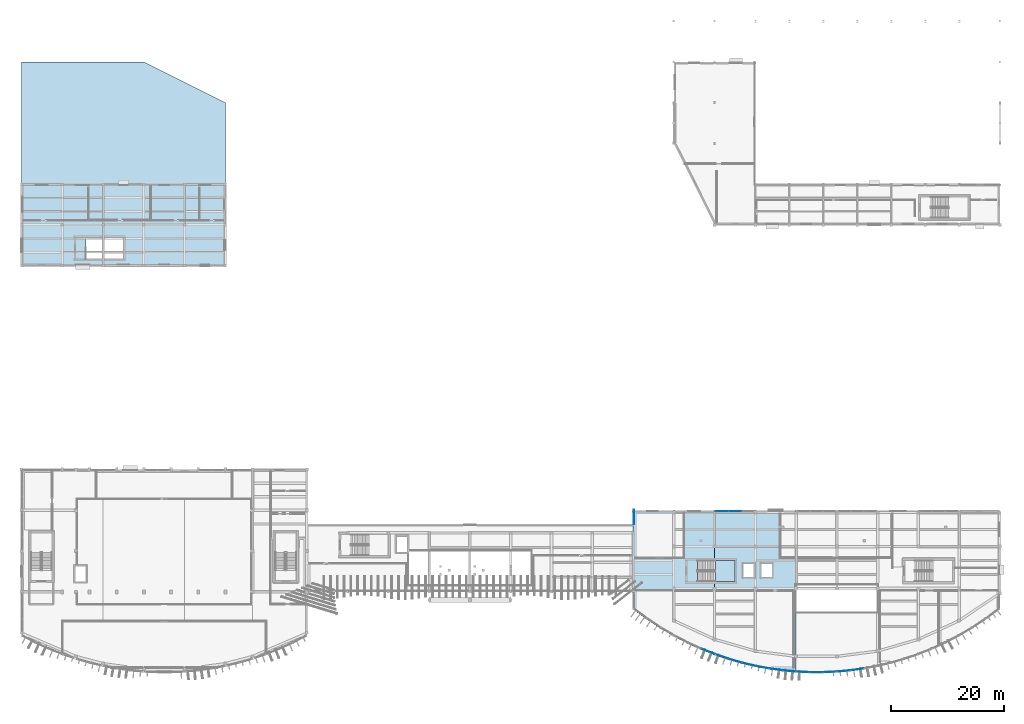
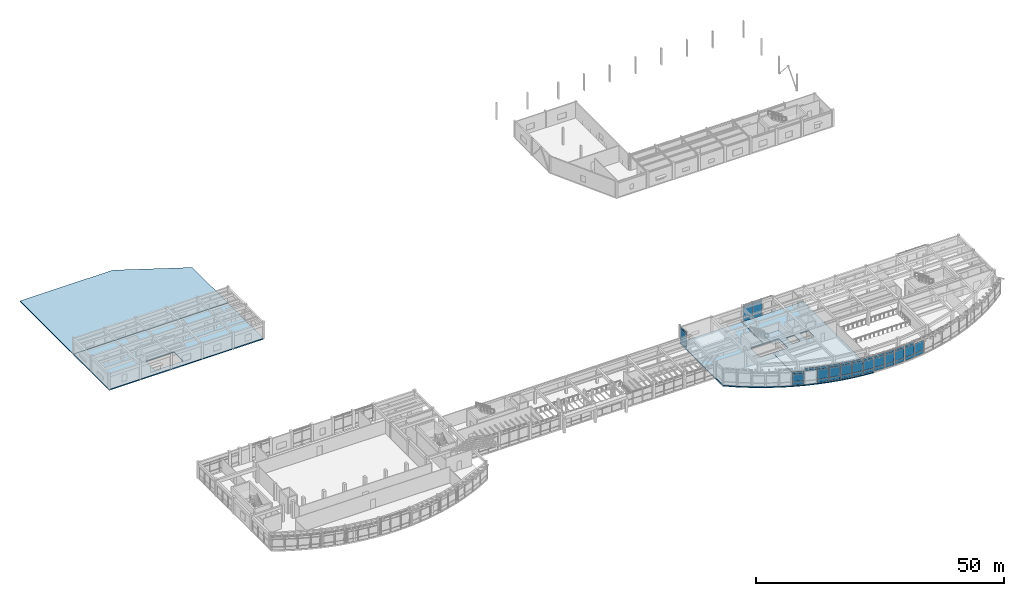
# One storey, part 32 of 60: 42 plates, 5 slabs, 15 elements without a shape of their own.
"""IFC4 building model written with IfcOpenShell, lengths in metres."""

from ifc_helpers import new_model, si_unit, direction, frame, origin, origin_2d, place, context, subcontext, project, spatial, polyline, rectangle, outline, extrude, material, layer, layer_set, type_object, element, aggregate, save


model = new_model("IFC4")

# Units and contexts
model_context = context("Model", 3, precision=1e-05, world=origin(), true_north=direction((0.0, 1.0)))
body_context = subcontext(model_context, "Body", "Model", "MODEL_VIEW")
ifc_project = project(units=[si_unit("LENGTHUNIT", "METRE"), si_unit("AREAUNIT", "SQUARE_METRE"), si_unit("VOLUMEUNIT", "CUBIC_METRE"), si_unit("PLANEANGLEUNIT", "RADIAN"), si_unit("MASSUNIT", "GRAM", prefix="KILO")], contexts=[model_context])

# Site, building, storey
site_placement = place(None, origin())
site = spatial("IfcSite", under=ifc_project, at=site_placement, CompositionType="ELEMENT")
building_placement = place(site_placement, origin())
building = spatial("IfcBuilding", under=site, at=building_placement, Name="Brisavento Harbour Community Centre", CompositionType="ELEMENT")
storey_placement = place(building_placement, frame((0.0, 0.0, 4.5)))
storey = spatial("IfcBuildingStorey", under=building, at=storey_placement, Name="L01", CompositionType="ELEMENT", Elevation=4.5)

# Curtain wall, plates
ifc_material_1 = material(Name="Marine-anodised aluminium AW-6063-T6", Category="aluminium")
ifc_layer_1 = layer(ifc_material_1, 0.179931640625, Name="Marine-anodised aluminium AW-6063-T6")
ifc_layer_set_1 = layer_set([ifc_layer_1], Name="Marine-anodised aluminium AW-6063-T6")
curtain_wall_type_1 = type_object("IfcCurtainWallType", Name="CW-SYS-10", PredefinedType="USERDEFINED", material=ifc_layer_set_1)
curtain_wall_1_placement = place(storey_placement, origin())
curtain_wall_1 = element("IfcCurtainWall", 1, at=curtain_wall_1_placement, inside=storey, type_object=curtain_wall_type_1, Name="L01 V3 unitised curtain wall 066", ObjectType="UNITISED CURTAIN WALL", PredefinedType="USERDEFINED")
ifc_material_2 = material(Name="Solar-control laminated low-E glass", Category="glass")
ifc_layer_2 = layer(ifc_material_2, 0.02392578125, Name="Solar-control laminated low-E glass")
ifc_layer_set_2 = layer_set([ifc_layer_2], Name="Solar-control laminated low-E glass")
plate_type_1 = type_object("IfcPlateType", Name="CWP-GLZ-1", PredefinedType="CURTAIN_PANEL", material=ifc_layer_set_2)
plate_1_placement = place(storey_placement, frame((128.441650390625, 1.59375, 0.070068359375), z_axis=(0.0, 0.0, 1.0), x_axis=(-0.973000103624, 0.230804675748, 0.0)))
plate_1 = element("IfcPlate", 2, at=plate_1_placement, type_object=plate_type_1, Name="CW-10 panel 1.1", PredefinedType="CURTAIN_PANEL", context=body_context, shape_type="SweptSolid", body=[
    extrude(rectangle(XDim=2.29052734375, YDim=0.02392578125, at=origin_2d()), origin(), (0.0, 0.0, 1.0), 0.794921875),
])
plate_2_placement = place(storey_placement, frame((128.441650390625, 1.59375, 0.93505859375), z_axis=(0.0, 0.0, 1.0), x_axis=(-0.973000103624, 0.230804675748, 0.0)))
plate_2 = element("IfcPlate", 3, at=plate_2_placement, type_object=plate_type_1, Name="CW-10 panel 1.2", PredefinedType="CURTAIN_PANEL", context=body_context, shape_type="SweptSolid", body=[
    extrude(rectangle(XDim=2.29052734375, YDim=0.02392578125, at=origin_2d()), origin(), (0.0, 0.0, 1.0), 2.330078125),
])
plate_3_placement = place(storey_placement, frame((128.441650390625, 1.59375, 3.3349609375), z_axis=(0.0, 0.0, 1.0), x_axis=(-0.973000103624, 0.230804675748, 0.0)))
plate_3 = element("IfcPlate", 4, at=plate_3_placement, type_object=plate_type_1, Name="CW-10 panel 1.3", PredefinedType="CURTAIN_PANEL", context=body_context, shape_type="SweptSolid", body=[
    extrude(rectangle(XDim=2.29052734375, YDim=0.02392578125, at=origin_2d()), origin(), (0.0, 0.0, 1.0), 0.544921875),
])
aggregate(curtain_wall_1, [plate_1, plate_2, plate_3])

ifc_layer_3 = layer(ifc_material_1, 0.179931640625, Name="Marine-anodised aluminium AW-6063-T6")
ifc_layer_set_3 = layer_set([ifc_layer_3], Name="Marine-anodised aluminium AW-6063-T6")
curtain_wall_type_2 = type_object("IfcCurtainWallType", Name="CW-SYS-15", PredefinedType="USERDEFINED", material=ifc_layer_set_3)
curtain_wall_2_placement = place(storey_placement, origin())
curtain_wall_2 = element("IfcCurtainWall", 5, at=curtain_wall_2_placement, inside=storey, type_object=curtain_wall_type_2, Name="L01 V3 unitised curtain wall 071", ObjectType="UNITISED CURTAIN WALL", PredefinedType="USERDEFINED")
plate_4_placement = place(storey_placement, frame((140.39990234375, 0.19384765625, 0.074951171875), z_axis=(0.0, 0.0, 1.0), x_axis=(-1.0, 0.0, 0.0)))
plate_4 = element("IfcPlate", 6, at=plate_4_placement, type_object=plate_type_1, Name="CW-15 panel 1.1", PredefinedType="CURTAIN_PANEL", context=body_context, shape_type="SweptSolid", body=[
    extrude(rectangle(XDim=2.214111328125, YDim=0.02392578125, at=origin_2d()), origin(), (0.0, 0.0, 1.0), 0.78759765625),
])
plate_5_placement = place(storey_placement, frame((140.39990234375, 0.19384765625, 0.9375), z_axis=(0.0, 0.0, 1.0), x_axis=(-1.0, 0.0, 0.0)))
plate_5 = element("IfcPlate", 7, at=plate_5_placement, type_object=plate_type_1, Name="CW-15 panel 1.2", PredefinedType="CURTAIN_PANEL", context=body_context, shape_type="SweptSolid", body=[
    extrude(rectangle(XDim=2.214111328125, YDim=0.02392578125, at=origin_2d()), origin(), (0.0, 0.0, 1.0), 2.324951171875),
])
plate_6_placement = place(storey_placement, frame((140.39990234375, 0.19384765625, 3.33740234375), z_axis=(0.0, 0.0, 1.0), x_axis=(-1.0, 0.0, 0.0)))
plate_6 = element("IfcPlate", 8, at=plate_6_placement, type_object=plate_type_1, Name="CW-15 panel 1.3", PredefinedType="CURTAIN_PANEL", context=body_context, shape_type="SweptSolid", body=[
    extrude(rectangle(XDim=2.214111328125, YDim=0.02392578125, at=origin_2d()), origin(), (0.0, 0.0, 1.0), 0.53759765625),
])
aggregate(curtain_wall_2, [plate_4, plate_5, plate_6])

ifc_layer_4 = layer(ifc_material_1, 0.179931640625, Name="Marine-anodised aluminium AW-6063-T6")
ifc_layer_set_4 = layer_set([ifc_layer_4], Name="Marine-anodised aluminium AW-6063-T6")
curtain_wall_type_3 = type_object("IfcCurtainWallType", Name="CW-SYS-02", PredefinedType="USERDEFINED", material=ifc_layer_set_4)
curtain_wall_3_placement = place(storey_placement, origin())
curtain_wall_3 = element("IfcCurtainWall", 9, at=curtain_wall_3_placement, inside=storey, type_object=curtain_wall_type_3, Name="L01 V3 unitised curtain wall 086", ObjectType="UNITISED CURTAIN WALL", PredefinedType="USERDEFINED")
plate_7_placement = place(storey_placement, frame((123.757568359375, 28.6201171875, 0.070068359375), z_axis=(0.0, 0.0, 1.0), x_axis=(1.0, 0.0, 0.0)))
plate_7 = element("IfcPlate", 10, at=plate_7_placement, type_object=plate_type_1, Name="CW-02 panel 1.1", PredefinedType="CURTAIN_PANEL", context=body_context, shape_type="SweptSolid", body=[
    extrude(rectangle(XDim=2.155029296875, YDim=0.02392578125, at=origin_2d()), origin(), (0.0, 0.0, 1.0), 0.794921875),
])
plate_8_placement = place(storey_placement, frame((123.757568359375, 28.6201171875, 0.93505859375), z_axis=(0.0, 0.0, 1.0), x_axis=(1.0, 0.0, 0.0)))
plate_8 = element("IfcPlate", 11, at=plate_8_placement, type_object=plate_type_1, Name="CW-02 panel 1.2", PredefinedType="CURTAIN_PANEL", context=body_context, shape_type="SweptSolid", body=[
    extrude(rectangle(XDim=2.155029296875, YDim=0.02392578125, at=origin_2d()), origin(), (0.0, 0.0, 1.0), 2.330078125),
])
plate_9_placement = place(storey_placement, frame((123.757568359375, 28.6201171875, 3.3349609375), z_axis=(0.0, 0.0, 1.0), x_axis=(1.0, 0.0, 0.0)))
plate_9 = element("IfcPlate", 12, at=plate_9_placement, type_object=plate_type_1, Name="CW-02 panel 1.3", PredefinedType="CURTAIN_PANEL", context=body_context, shape_type="SweptSolid", body=[
    extrude(rectangle(XDim=2.155029296875, YDim=0.02392578125, at=origin_2d()), origin(), (0.0, 0.0, 1.0), 0.544921875),
])
plate_10_placement = place(storey_placement, frame((126.0, 28.6201171875, 0.070068359375), z_axis=(0.0, 0.0, 1.0), x_axis=(1.0, 0.0, 0.0)))
plate_10 = element("IfcPlate", 13, at=plate_10_placement, type_object=plate_type_1, Name="CW-02 panel 2.1", PredefinedType="CURTAIN_PANEL", context=body_context, shape_type="SweptSolid", body=[
    extrude(rectangle(XDim=2.18994140625, YDim=0.02392578125, at=origin_2d()), origin(), (0.0, 0.0, 1.0), 0.794921875),
])
plate_11_placement = place(storey_placement, frame((126.0, 28.6201171875, 0.93505859375), z_axis=(0.0, 0.0, 1.0), x_axis=(1.0, 0.0, 0.0)))
plate_11 = element("IfcPlate", 14, at=plate_11_placement, type_object=plate_type_1, Name="CW-02 panel 2.2", PredefinedType="CURTAIN_PANEL", context=body_context, shape_type="SweptSolid", body=[
    extrude(rectangle(XDim=2.18994140625, YDim=0.02392578125, at=origin_2d()), origin(), (0.0, 0.0, 1.0), 2.330078125),
])
plate_12_placement = place(storey_placement, frame((126.0, 28.6201171875, 3.3349609375), z_axis=(0.0, 0.0, 1.0), x_axis=(1.0, 0.0, 0.0)))
plate_12 = element("IfcPlate", 15, at=plate_12_placement, type_object=plate_type_1, Name="CW-02 panel 2.3", PredefinedType="CURTAIN_PANEL", context=body_context, shape_type="SweptSolid", body=[
    extrude(rectangle(XDim=2.18994140625, YDim=0.02392578125, at=origin_2d()), origin(), (0.0, 0.0, 1.0), 0.544921875),
])
aggregate(curtain_wall_3, [plate_7, plate_8, plate_9, plate_10, plate_11, plate_12])

ifc_layer_5 = layer(ifc_material_1, 0.179931640625, Name="Marine-anodised aluminium AW-6063-T6")
ifc_layer_set_5 = layer_set([ifc_layer_5], Name="Marine-anodised aluminium AW-6063-T6")
curtain_wall_type_4 = type_object("IfcCurtainWallType", Name="CW-SYS-11", PredefinedType="USERDEFINED", material=ifc_layer_set_5)
curtain_wall_4_placement = place(storey_placement, origin())
curtain_wall_4 = element("IfcCurtainWall", 16, at=curtain_wall_4_placement, inside=storey, type_object=curtain_wall_type_4, Name="L01 V3 unitised curtain wall 067", ObjectType="UNITISED CURTAIN WALL", PredefinedType="USERDEFINED")
ifc_layer_6 = layer(ifc_material_2, 0.028076171875, Name="Solar-control laminated low-E glass")
ifc_layer_set_6 = layer_set([ifc_layer_6], Name="Solar-control laminated low-E glass")
plate_type_2 = type_object("IfcPlateType", Name="CWP-GLZ-2", PredefinedType="CURTAIN_PANEL", material=ifc_layer_set_6)
plate_13_placement = place(storey_placement, frame((130.833251953125, 1.08544921875, 0.074951171875), z_axis=(0.0, 0.0, 1.0), x_axis=(-0.98280153597, 0.184664942245, 0.0)))
plate_13 = element("IfcPlate", 17, at=plate_13_placement, type_object=plate_type_2, Name="CW-11 panel 1.1", PredefinedType="CURTAIN_PANEL", context=body_context, shape_type="SweptSolid", body=[
    extrude(rectangle(XDim=2.255859375, YDim=0.028076171875, at=origin_2d()), origin(), (0.0, 0.0, 1.0), 0.78759765625),
])
plate_14_placement = place(storey_placement, frame((130.833251953125, 1.08544921875, 0.9375), z_axis=(0.0, 0.0, 1.0), x_axis=(-0.98280153597, 0.184664942245, 0.0)))
plate_14 = element("IfcPlate", 18, at=plate_14_placement, type_object=plate_type_2, Name="CW-11 panel 1.2", PredefinedType="CURTAIN_PANEL", context=body_context, shape_type="SweptSolid", body=[
    extrude(rectangle(XDim=2.255859375, YDim=0.028076171875, at=origin_2d()), origin(), (0.0, 0.0, 1.0), 2.324951171875),
])
plate_15_placement = place(storey_placement, frame((130.833251953125, 1.08544921875, 3.33740234375), z_axis=(0.0, 0.0, 1.0), x_axis=(-0.98280153597, 0.184664942245, 0.0)))
plate_15 = element("IfcPlate", 19, at=plate_15_placement, type_object=plate_type_2, Name="CW-11 panel 1.3", PredefinedType="CURTAIN_PANEL", context=body_context, shape_type="SweptSolid", body=[
    extrude(rectangle(XDim=2.255859375, YDim=0.028076171875, at=origin_2d()), origin(), (0.0, 0.0, 1.0), 0.53759765625),
])
aggregate(curtain_wall_4, [plate_13, plate_14, plate_15])

ifc_layer_7 = layer(ifc_material_1, 0.179931640625, Name="Marine-anodised aluminium AW-6063-T6")
ifc_layer_set_7 = layer_set([ifc_layer_7], Name="Marine-anodised aluminium AW-6063-T6")
curtain_wall_type_5 = type_object("IfcCurtainWallType", Name="CW-SYS-16", PredefinedType="USERDEFINED", material=ifc_layer_set_7)
curtain_wall_5_placement = place(storey_placement, origin())
curtain_wall_5 = element("IfcCurtainWall", 20, at=curtain_wall_5_placement, inside=storey, type_object=curtain_wall_type_5, Name="L01 V3 unitised curtain wall 072", ObjectType="UNITISED CURTAIN WALL", PredefinedType="USERDEFINED")
plate_16_placement = place(storey_placement, frame((142.791748046875, 0.249267578125, 0.080078125), z_axis=(0.0, 0.0, 1.0), x_axis=(-0.998932863993, -0.046185855346, 0.0)))
plate_16 = element("IfcPlate", 21, at=plate_16_placement, type_object=plate_type_2, Name="CW-16 panel 1.1", PredefinedType="CURTAIN_PANEL", context=body_context, shape_type="SweptSolid", body=[
    extrude(rectangle(XDim=2.20654296875, YDim=0.028076171875, at=origin_2d()), origin(), (0.0, 0.0, 1.0), 0.780029296875),
])
plate_17_placement = place(storey_placement, frame((142.791748046875, 0.249267578125, 0.93994140625), z_axis=(0.0, 0.0, 1.0), x_axis=(-0.998932863993, -0.046185855346, 0.0)))
plate_17 = element("IfcPlate", 22, at=plate_17_placement, type_object=plate_type_2, Name="CW-16 panel 1.2", PredefinedType="CURTAIN_PANEL", context=body_context, shape_type="SweptSolid", body=[
    extrude(rectangle(XDim=2.20654296875, YDim=0.028076171875, at=origin_2d()), origin(), (0.0, 0.0, 1.0), 2.320068359375),
])
plate_18_placement = place(storey_placement, frame((142.791748046875, 0.249267578125, 3.33984375), z_axis=(0.0, 0.0, 1.0), x_axis=(-0.998932863993, -0.046185855346, 0.0)))
plate_18 = element("IfcPlate", 23, at=plate_18_placement, type_object=plate_type_2, Name="CW-16 panel 1.3", PredefinedType="CURTAIN_PANEL", context=body_context, shape_type="SweptSolid", body=[
    extrude(rectangle(XDim=2.20654296875, YDim=0.028076171875, at=origin_2d()), origin(), (0.0, 0.0, 1.0), 0.530029296875),
])
aggregate(curtain_wall_5, [plate_16, plate_17, plate_18])

ifc_layer_8 = layer(ifc_material_1, 0.179931640625, Name="Marine-anodised aluminium AW-6063-T6")
ifc_layer_set_8 = layer_set([ifc_layer_8], Name="Marine-anodised aluminium AW-6063-T6")
curtain_wall_type_6 = type_object("IfcCurtainWallType", Name="CW-SYS-07", PredefinedType="USERDEFINED", material=ifc_layer_set_8)
curtain_wall_6_placement = place(storey_placement, origin())
curtain_wall_6 = element("IfcCurtainWall", 24, at=curtain_wall_6_placement, inside=storey, type_object=curtain_wall_type_6, Name="L01 V3 unitised curtain wall 063", ObjectType="UNITISED CURTAIN WALL", PredefinedType="USERDEFINED")
ifc_layer_9 = layer(ifc_material_2, 0.031982421875, Name="Solar-control laminated low-E glass")
ifc_layer_set_9 = layer_set([ifc_layer_9], Name="Solar-control laminated low-E glass")
plate_type_3 = type_object("IfcPlateType", Name="CWP-GLZ-3", PredefinedType="CURTAIN_PANEL", material=ifc_layer_set_9)
plate_19_placement = place(storey_placement, frame((121.2666015625, 3.85888671875, 0.074951171875), z_axis=(0.0, 0.0, 1.0), x_axis=(-0.929278798027, 0.369379094613, 0.0)))
plate_19 = element("IfcPlate", 25, at=plate_19_placement, type_object=plate_type_3, Name="CW-07 panel 1.1", PredefinedType="CURTAIN_PANEL", context=body_context, shape_type="SweptSolid", body=[
    extrude(rectangle(XDim=2.396728515625, YDim=0.031982421875, at=origin_2d()), origin(), (0.0, 0.0, 1.0), 0.78759765625),
])
plate_20_placement = place(storey_placement, frame((121.2666015625, 3.85888671875, 0.9375), z_axis=(0.0, 0.0, 1.0), x_axis=(-0.929278798027, 0.369379094613, 0.0)))
plate_20 = element("IfcPlate", 26, at=plate_20_placement, type_object=plate_type_3, Name="CW-07 panel 1.2", PredefinedType="CURTAIN_PANEL", context=body_context, shape_type="SweptSolid", body=[
    extrude(rectangle(XDim=2.396728515625, YDim=0.031982421875, at=origin_2d()), origin(), (0.0, 0.0, 1.0), 1.72509765625),
])
plate_21_placement = place(storey_placement, frame((121.2666015625, 3.85888671875, 2.737548828125), z_axis=(0.0, 0.0, 1.0), x_axis=(-0.929278798027, 0.369379094613, 0.0)))
plate_21 = element("IfcPlate", 27, at=plate_21_placement, type_object=plate_type_3, Name="CW-07 panel 1.3", PredefinedType="CURTAIN_PANEL", context=body_context, shape_type="SweptSolid", body=[
    extrude(rectangle(XDim=2.396728515625, YDim=0.031982421875, at=origin_2d()), origin(), (0.0, 0.0, 1.0), 0.53759765625),
])
aggregate(curtain_wall_6, [plate_19, plate_20, plate_21])

ifc_layer_10 = layer(ifc_material_1, 0.179931640625, Name="Marine-anodised aluminium AW-6063-T6")
ifc_layer_set_10 = layer_set([ifc_layer_10], Name="Marine-anodised aluminium AW-6063-T6")
curtain_wall_type_7 = type_object("IfcCurtainWallType", Name="CW-SYS-12", PredefinedType="USERDEFINED", material=ifc_layer_set_10)
curtain_wall_7_placement = place(storey_placement, origin())
curtain_wall_7 = element("IfcCurtainWall", 28, at=curtain_wall_7_placement, inside=storey, type_object=curtain_wall_type_7, Name="L01 V3 unitised curtain wall 068", ObjectType="UNITISED CURTAIN WALL", PredefinedType="USERDEFINED")
plate_22_placement = place(storey_placement, frame((133.224853515625, 0.693359375, 0.080078125), z_axis=(0.0, 0.0, 1.0), x_axis=(-0.990365657711, 0.138476944024, 0.0)))
plate_22 = element("IfcPlate", 29, at=plate_22_placement, type_object=plate_type_3, Name="CW-12 panel 1.1", PredefinedType="CURTAIN_PANEL", context=body_context, shape_type="SweptSolid", body=[
    extrude(rectangle(XDim=2.227294921875, YDim=0.031982421875, at=origin_2d()), origin(), (0.0, 0.0, 1.0), 0.780029296875),
])
plate_23_placement = place(storey_placement, frame((133.224853515625, 0.693359375, 0.93994140625), z_axis=(0.0, 0.0, 1.0), x_axis=(-0.990365657711, 0.138476944024, 0.0)))
plate_23 = element("IfcPlate", 30, at=plate_23_placement, type_object=plate_type_3, Name="CW-12 panel 1.2", PredefinedType="CURTAIN_PANEL", context=body_context, shape_type="SweptSolid", body=[
    extrude(rectangle(XDim=2.227294921875, YDim=0.031982421875, at=origin_2d()), origin(), (0.0, 0.0, 1.0), 2.320068359375),
])
plate_24_placement = place(storey_placement, frame((133.224853515625, 0.693359375, 3.33984375), z_axis=(0.0, 0.0, 1.0), x_axis=(-0.990365657711, 0.138476944024, 0.0)))
plate_24 = element("IfcPlate", 31, at=plate_24_placement, type_object=plate_type_3, Name="CW-12 panel 1.3", PredefinedType="CURTAIN_PANEL", context=body_context, shape_type="SweptSolid", body=[
    extrude(rectangle(XDim=2.227294921875, YDim=0.031982421875, at=origin_2d()), origin(), (0.0, 0.0, 1.0), 0.530029296875),
])
aggregate(curtain_wall_7, [plate_22, plate_23, plate_24])

ifc_layer_11 = layer(ifc_material_1, 0.179931640625, Name="Marine-anodised aluminium AW-6063-T6")
ifc_layer_set_11 = layer_set([ifc_layer_11], Name="Marine-anodised aluminium AW-6063-T6")
curtain_wall_type_8 = type_object("IfcCurtainWallType", Name="CW-SYS-17", PredefinedType="USERDEFINED", material=ifc_layer_set_11)
curtain_wall_8_placement = place(storey_placement, origin())
curtain_wall_8 = element("IfcCurtainWall", 32, at=curtain_wall_8_placement, inside=storey, type_object=curtain_wall_type_8, Name="L01 V3 unitised curtain wall 073", ObjectType="UNITISED CURTAIN WALL", PredefinedType="USERDEFINED")
plate_25_placement = place(storey_placement, frame((145.183349609375, 0.415283203125, 0.06494140625), z_axis=(0.0, 0.0, 1.0), x_axis=(-0.995733224053, -0.092278635218, 0.0)))
plate_25 = element("IfcPlate", 33, at=plate_25_placement, type_object=plate_type_3, Name="CW-17 panel 1.1", PredefinedType="CURTAIN_PANEL", context=body_context, shape_type="SweptSolid", body=[
    extrude(rectangle(XDim=2.244384765625, YDim=0.031982421875, at=origin_2d()), origin(), (0.0, 0.0, 1.0), 0.802490234375),
])
plate_26_placement = place(storey_placement, frame((145.183349609375, 0.415283203125, 0.9326171875), z_axis=(0.0, 0.0, 1.0), x_axis=(-0.995733224053, -0.092278635218, 0.0)))
plate_26 = element("IfcPlate", 34, at=plate_26_placement, type_object=plate_type_3, Name="CW-17 panel 1.2", PredefinedType="CURTAIN_PANEL", context=body_context, shape_type="SweptSolid", body=[
    extrude(rectangle(XDim=2.244384765625, YDim=0.031982421875, at=origin_2d()), origin(), (0.0, 0.0, 1.0), 2.3349609375),
])
plate_27_placement = place(storey_placement, frame((145.183349609375, 0.415283203125, 3.33251953125), z_axis=(0.0, 0.0, 1.0), x_axis=(-0.995733224053, -0.092278635218, 0.0)))
plate_27 = element("IfcPlate", 35, at=plate_27_placement, type_object=plate_type_3, Name="CW-17 panel 1.3", PredefinedType="CURTAIN_PANEL", context=body_context, shape_type="SweptSolid", body=[
    extrude(rectangle(XDim=2.244384765625, YDim=0.031982421875, at=origin_2d()), origin(), (0.0, 0.0, 1.0), 0.552490234375),
])
aggregate(curtain_wall_8, [plate_25, plate_26, plate_27])

# Curtain wall, plate
ifc_layer_12 = layer(ifc_material_1, 0.179931640625, Name="Marine-anodised aluminium AW-6063-T6")
ifc_layer_set_12 = layer_set([ifc_layer_12], Name="Marine-anodised aluminium AW-6063-T6")
curtain_wall_type_9 = type_object("IfcCurtainWallType", Name="CW-SYS-08", PredefinedType="USERDEFINED", material=ifc_layer_set_12)
curtain_wall_9_placement = place(storey_placement, origin())
curtain_wall_9 = element("IfcCurtainWall", 36, at=curtain_wall_9_placement, inside=storey, type_object=curtain_wall_type_9, Name="L01 V3 unitised curtain wall 064", ObjectType="UNITISED CURTAIN WALL", PredefinedType="USERDEFINED")
ifc_layer_13 = layer(ifc_material_2, 0.035888671875, Name="Solar-control laminated low-E glass")
ifc_layer_set_13 = layer_set([ifc_layer_13], Name="Solar-control laminated low-E glass")
plate_type_4 = type_object("IfcPlateType", Name="CWP-GLZ-4", PredefinedType="CURTAIN_PANEL", material=ifc_layer_set_13)
plate_28_placement = place(storey_placement, frame((123.658203125, 2.975341796875, 3.33984375), z_axis=(0.0, 0.0, 1.0), x_axis=(-0.94633792227, 0.32317880016, 0.0)))
plate_28 = element("IfcPlate", 37, at=plate_28_placement, type_object=plate_type_4, Name="CW-08 panel 1.3", PredefinedType="CURTAIN_PANEL", context=body_context, shape_type="SweptSolid", body=[
    extrude(rectangle(XDim=2.340087890625, YDim=0.035888671875, at=origin_2d()), origin(), (0.0, 0.0, 1.0), 0.530029296875),
])
aggregate(curtain_wall_9, [plate_28])

# Curtain wall, plates
ifc_layer_14 = layer(ifc_material_1, 0.179931640625, Name="Marine-anodised aluminium AW-6063-T6")
ifc_layer_set_14 = layer_set([ifc_layer_14], Name="Marine-anodised aluminium AW-6063-T6")
curtain_wall_type_10 = type_object("IfcCurtainWallType", Name="CW-SYS-13", PredefinedType="USERDEFINED", material=ifc_layer_set_14)
curtain_wall_10_placement = place(storey_placement, origin())
curtain_wall_10 = element("IfcCurtainWall", 38, at=curtain_wall_10_placement, inside=storey, type_object=curtain_wall_type_10, Name="L01 V3 unitised curtain wall 069", ObjectType="UNITISED CURTAIN WALL", PredefinedType="USERDEFINED")
plate_29_placement = place(storey_placement, frame((135.61669921875, 0.415283203125, 0.06494140625), z_axis=(0.0, 0.0, 1.0), x_axis=(-0.995733224053, 0.092278635218, 0.0)))
plate_29 = element("IfcPlate", 39, at=plate_29_placement, type_object=plate_type_4, Name="CW-13 panel 1.1", PredefinedType="CURTAIN_PANEL", context=body_context, shape_type="SweptSolid", body=[
    extrude(rectangle(XDim=2.244384765625, YDim=0.035888671875, at=origin_2d()), origin(), (0.0, 0.0, 1.0), 0.802490234375),
])
plate_30_placement = place(storey_placement, frame((135.61669921875, 0.415283203125, 0.9326171875), z_axis=(0.0, 0.0, 1.0), x_axis=(-0.995733224053, 0.092278635218, 0.0)))
plate_30 = element("IfcPlate", 40, at=plate_30_placement, type_object=plate_type_4, Name="CW-13 panel 1.2", PredefinedType="CURTAIN_PANEL", context=body_context, shape_type="SweptSolid", body=[
    extrude(rectangle(XDim=2.244384765625, YDim=0.035888671875, at=origin_2d()), origin(), (0.0, 0.0, 1.0), 2.3349609375),
])
plate_31_placement = place(storey_placement, frame((135.61669921875, 0.415283203125, 3.33251953125), z_axis=(0.0, 0.0, 1.0), x_axis=(-0.995733224053, 0.092278635218, 0.0)))
plate_31 = element("IfcPlate", 41, at=plate_31_placement, type_object=plate_type_4, Name="CW-13 panel 1.3", PredefinedType="CURTAIN_PANEL", context=body_context, shape_type="SweptSolid", body=[
    extrude(rectangle(XDim=2.244384765625, YDim=0.035888671875, at=origin_2d()), origin(), (0.0, 0.0, 1.0), 0.552490234375),
])
aggregate(curtain_wall_10, [plate_29, plate_30, plate_31])

ifc_layer_15 = layer(ifc_material_1, 0.179931640625, Name="Marine-anodised aluminium AW-6063-T6")
ifc_layer_set_15 = layer_set([ifc_layer_15], Name="Marine-anodised aluminium AW-6063-T6")
curtain_wall_type_11 = type_object("IfcCurtainWallType", Name="CW-SYS-18", PredefinedType="USERDEFINED", material=ifc_layer_set_15)
curtain_wall_11_placement = place(storey_placement, origin())
curtain_wall_11 = element("IfcCurtainWall", 42, at=curtain_wall_11_placement, inside=storey, type_object=curtain_wall_type_11, Name="L01 V3 unitised curtain wall 074", ObjectType="UNITISED CURTAIN WALL", PredefinedType="USERDEFINED")
plate_32_placement = place(storey_placement, frame((147.5751953125, 0.693359375, 0.070068359375), z_axis=(0.0, 0.0, 1.0), x_axis=(-0.990365657711, -0.138476944024, 0.0)))
plate_32 = element("IfcPlate", 43, at=plate_32_placement, type_object=plate_type_4, Name="CW-18 panel 1.1", PredefinedType="CURTAIN_PANEL", context=body_context, shape_type="SweptSolid", body=[
    extrude(rectangle(XDim=2.247314453125, YDim=0.035888671875, at=origin_2d()), origin(), (0.0, 0.0, 1.0), 0.794921875),
])
plate_33_placement = place(storey_placement, frame((147.5751953125, 0.693359375, 0.93505859375), z_axis=(0.0, 0.0, 1.0), x_axis=(-0.990365657711, -0.138476944024, 0.0)))
plate_33 = element("IfcPlate", 44, at=plate_33_placement, type_object=plate_type_4, Name="CW-18 panel 1.2", PredefinedType="CURTAIN_PANEL", context=body_context, shape_type="SweptSolid", body=[
    extrude(rectangle(XDim=2.247314453125, YDim=0.035888671875, at=origin_2d()), origin(), (0.0, 0.0, 1.0), 2.330078125),
])
aggregate(curtain_wall_11, [plate_32, plate_33])

ifc_layer_16 = layer(ifc_material_1, 0.179931640625, Name="Marine-anodised aluminium AW-6063-T6")
ifc_layer_set_16 = layer_set([ifc_layer_16], Name="Marine-anodised aluminium AW-6063-T6")
curtain_wall_type_12 = type_object("IfcCurtainWallType", Name="CW-SYS-09", PredefinedType="USERDEFINED", material=ifc_layer_set_16)
curtain_wall_12_placement = place(storey_placement, origin())
curtain_wall_12 = element("IfcCurtainWall", 45, at=curtain_wall_12_placement, inside=storey, type_object=curtain_wall_type_12, Name="L01 V3 unitised curtain wall 065", ObjectType="UNITISED CURTAIN WALL", PredefinedType="USERDEFINED")
ifc_layer_17 = layer(ifc_material_2, 0.0400390625, Name="Solar-control laminated low-E glass")
ifc_layer_set_17 = layer_set([ifc_layer_17], Name="Solar-control laminated low-E glass")
plate_type_5 = type_object("IfcPlateType", Name="CWP-GLZ-5", PredefinedType="CURTAIN_PANEL", material=ifc_layer_set_17)
plate_34_placement = place(storey_placement, frame((126.0498046875, 2.22216796875, 0.06494140625), z_axis=(0.0, 0.0, 1.0), x_axis=(-0.960869761126, 0.277000545402, 0.0)))
plate_34 = element("IfcPlate", 46, at=plate_34_placement, type_object=plate_type_5, Name="CW-09 panel 1.1", PredefinedType="CURTAIN_PANEL", context=body_context, shape_type="SweptSolid", body=[
    extrude(rectangle(XDim=2.331787109375, YDim=0.0400390625, at=origin_2d()), origin(), (0.0, 0.0, 1.0), 0.802490234375),
])
plate_35_placement = place(storey_placement, frame((126.0498046875, 2.22216796875, 0.9326171875), z_axis=(0.0, 0.0, 1.0), x_axis=(-0.960869761126, 0.277000545402, 0.0)))
plate_35 = element("IfcPlate", 47, at=plate_35_placement, type_object=plate_type_5, Name="CW-09 panel 1.2", PredefinedType="CURTAIN_PANEL", context=body_context, shape_type="SweptSolid", body=[
    extrude(rectangle(XDim=2.331787109375, YDim=0.0400390625, at=origin_2d()), origin(), (0.0, 0.0, 1.0), 2.3349609375),
])
plate_36_placement = place(storey_placement, frame((126.0498046875, 2.22216796875, 3.33251953125), z_axis=(0.0, 0.0, 1.0), x_axis=(-0.960869761126, 0.277000545402, 0.0)))
plate_36 = element("IfcPlate", 48, at=plate_36_placement, type_object=plate_type_5, Name="CW-09 panel 1.3", PredefinedType="CURTAIN_PANEL", context=body_context, shape_type="SweptSolid", body=[
    extrude(rectangle(XDim=2.331787109375, YDim=0.0400390625, at=origin_2d()), origin(), (0.0, 0.0, 1.0), 0.552490234375),
])
aggregate(curtain_wall_12, [plate_34, plate_35, plate_36])

ifc_layer_18 = layer(ifc_material_1, 0.179931640625, Name="Marine-anodised aluminium AW-6063-T6")
ifc_layer_set_18 = layer_set([ifc_layer_18], Name="Marine-anodised aluminium AW-6063-T6")
curtain_wall_type_13 = type_object("IfcCurtainWallType", Name="CW-SYS-14", PredefinedType="USERDEFINED", material=ifc_layer_set_18)
curtain_wall_13_placement = place(storey_placement, origin())
curtain_wall_13 = element("IfcCurtainWall", 49, at=curtain_wall_13_placement, inside=storey, type_object=curtain_wall_type_13, Name="L01 V3 unitised curtain wall 070", ObjectType="UNITISED CURTAIN WALL", PredefinedType="USERDEFINED")
plate_37_placement = place(storey_placement, frame((138.00830078125, 0.249267578125, 0.070068359375), z_axis=(0.0, 0.0, 1.0), x_axis=(-0.998932863993, 0.046185855346, 0.0)))
plate_37 = element("IfcPlate", 50, at=plate_37_placement, type_object=plate_type_5, Name="CW-14 panel 1.1", PredefinedType="CURTAIN_PANEL", context=body_context, shape_type="SweptSolid", body=[
    extrude(rectangle(XDim=2.2265625, YDim=0.0400390625, at=origin_2d()), origin(), (0.0, 0.0, 1.0), 0.794921875),
])
plate_38_placement = place(storey_placement, frame((138.00830078125, 0.249267578125, 0.93505859375), z_axis=(0.0, 0.0, 1.0), x_axis=(-0.998932863993, 0.046185855346, 0.0)))
plate_38 = element("IfcPlate", 51, at=plate_38_placement, type_object=plate_type_5, Name="CW-14 panel 1.2", PredefinedType="CURTAIN_PANEL", context=body_context, shape_type="SweptSolid", body=[
    extrude(rectangle(XDim=2.2265625, YDim=0.0400390625, at=origin_2d()), origin(), (0.0, 0.0, 1.0), 2.330078125),
])
plate_39_placement = place(storey_placement, frame((138.00830078125, 0.249267578125, 3.3349609375), z_axis=(0.0, 0.0, 1.0), x_axis=(-0.998932863993, 0.046185855346, 0.0)))
plate_39 = element("IfcPlate", 52, at=plate_39_placement, type_object=plate_type_5, Name="CW-14 panel 1.3", PredefinedType="CURTAIN_PANEL", context=body_context, shape_type="SweptSolid", body=[
    extrude(rectangle(XDim=2.2265625, YDim=0.0400390625, at=origin_2d()), origin(), (0.0, 0.0, 1.0), 0.544921875),
])
aggregate(curtain_wall_13, [plate_37, plate_38, plate_39])

ifc_layer_19 = layer(ifc_material_1, 0.179931640625, Name="Marine-anodised aluminium AW-6063-T6")
ifc_layer_set_19 = layer_set([ifc_layer_19], Name="Marine-anodised aluminium AW-6063-T6")
curtain_wall_type_14 = type_object("IfcCurtainWallType", Name="CW-SYS-06", PredefinedType="USERDEFINED", material=ifc_layer_set_19)
curtain_wall_14_placement = place(storey_placement, origin())
curtain_wall_14 = element("IfcCurtainWall", 53, at=curtain_wall_14_placement, inside=storey, type_object=curtain_wall_type_14, Name="L01 V3 unitised curtain wall 090", ObjectType="UNITISED CURTAIN WALL", PredefinedType="USERDEFINED")
plate_40_placement = place(storey_placement, frame((108.179931640625, 27.60009765625, 0.070068359375), z_axis=(0.0, 0.0, 1.0), x_axis=(0.0, 1.0, 0.0)))
plate_40 = element("IfcPlate", 54, at=plate_40_placement, type_object=plate_type_5, Name="CW-06 panel 1.1", PredefinedType="CURTAIN_PANEL", context=body_context, shape_type="SweptSolid", body=[
    extrude(rectangle(XDim=2.56005859375, YDim=0.0400390625, at=origin_2d()), origin(), (0.0, 0.0, 1.0), 0.794921875),
])
plate_41_placement = place(storey_placement, frame((108.179931640625, 27.60009765625, 0.93505859375), z_axis=(0.0, 0.0, 1.0), x_axis=(0.0, 1.0, 0.0)))
plate_41 = element("IfcPlate", 55, at=plate_41_placement, type_object=plate_type_5, Name="CW-06 panel 1.2", PredefinedType="CURTAIN_PANEL", context=body_context, shape_type="SweptSolid", body=[
    extrude(rectangle(XDim=2.56005859375, YDim=0.0400390625, at=origin_2d()), origin(), (0.0, 0.0, 1.0), 2.330078125),
])
plate_42_placement = place(storey_placement, frame((108.179931640625, 27.60009765625, 3.3349609375), z_axis=(0.0, 0.0, 1.0), x_axis=(0.0, 1.0, 0.0)))
plate_42 = element("IfcPlate", 56, at=plate_42_placement, type_object=plate_type_5, Name="CW-06 panel 1.3", PredefinedType="CURTAIN_PANEL", context=body_context, shape_type="SweptSolid", body=[
    extrude(rectangle(XDim=2.56005859375, YDim=0.0400390625, at=origin_2d()), origin(), (0.0, 0.0, 1.0), 0.544921875),
])
aggregate(curtain_wall_14, [plate_40, plate_41, plate_42])

# Slabs
ifc_material_3 = material(Name="Concrete C35/45", Category="concrete")
ifc_layer_20 = layer(ifc_material_3, 0.260009765625, Name="Concrete C35/45")
ifc_layer_set_20 = layer_set([ifc_layer_20], Name="Concrete C35/45")
slab_type_1 = type_object("IfcSlabType", Name="SLB-FLR-260", PredefinedType="FLOOR", material=ifc_layer_set_20)
slab_1_placement = place(storey_placement, frame((0.0, 0.0, -0.260009765625)))
element("IfcSlab", 57, at=slab_1_placement, inside=storey, type_object=slab_type_1, Name="L01 V3 structural floor slab 023", PredefinedType="FLOOR", context=body_context, shape_type="SweptSolid", body=[
    extrude(outline(polyline([(108.0, 28.800048828125), (108.0, 11.32763671875), (110.39990234375, 9.526611328125), (112.800048828125, 7.92919921875), (115.199951171875, 6.51416015625), (117.60009765625, 5.264892578125), (120.0, 4.168701171875), (122.39990234375, 3.21484375), (122.39990234375, 16.2080078125), (119.407958984375, 16.2080078125), (119.407958984375, 19.94189453125), (122.39990234375, 19.94189453125), (122.39990234375, 28.800048828125), (108.0, 28.800048828125)])), origin(), (0.0, 0.0, 1.0), 0.260009765625),
])
slab_2_placement = place(storey_placement, frame((0.0, 0.0, -0.260009765625)))
element("IfcSlab", 58, at=slab_2_placement, inside=storey, type_object=slab_type_1, Name="L01 V3 structural floor slab 024", PredefinedType="FLOOR", context=body_context, shape_type="SweptSolid", body=[
    extrude(outline(polyline([(122.39990234375, 28.800048828125), (122.39990234375, 19.94189453125), (125.991943359375, 19.94189453125), (125.991943359375, 16.2080078125), (122.39990234375, 16.2080078125), (122.39990234375, 3.21484375), (124.800048828125, 2.395263671875), (127.199951171875, 1.703369140625), (129.60009765625, 1.1337890625), (132.0, 0.682861328125), (134.39990234375, 0.347412109375), (136.800048828125, 0.124755859375), (136.800048828125, 28.800048828125), (122.39990234375, 28.800048828125)]), holes=[polyline([(129.35009765625, 17.0), (127.449951171875, 17.0), (127.449951171875, 19.39990234375), (129.35009765625, 19.39990234375), (129.35009765625, 17.0)]), polyline([(132.550048828125, 17.0), (130.64990234375, 17.0), (130.64990234375, 19.39990234375), (132.550048828125, 19.39990234375), (132.550048828125, 17.0)])]), origin(), (0.0, 0.0, 1.0), 0.260009765625),
])
slab_3_placement = place(storey_placement, frame((0.0, 0.0, -0.260009765625)))
element("IfcSlab", 59, at=slab_3_placement, inside=storey, type_object=slab_type_1, Name="L01 V5 structural floor slab 030", PredefinedType="FLOOR", context=body_context, shape_type="SweptSolid", body=[
    extrude(outline(polyline([(0.0, 72.0), (36.0, 72.0), (36.0, 86.39990234375), (0.0, 86.39990234375), (0.0, 72.0)]), holes=[polyline([(17.991943359375, 73.2080078125), (11.407958984375, 73.2080078125), (11.407958984375, 76.94189453125), (17.991943359375, 76.94189453125), (17.991943359375, 73.2080078125)])]), origin(), (0.0, 0.0, 1.0), 0.260009765625),
])

# Stair, slab
stair_type = type_object("IfcStairType", Name="STR-DL-4200", PredefinedType="HALF_TURN_STAIR", material=ifc_material_3)
stair_placement = place(storey_placement, origin())
stair = element("IfcStair", 60, at=stair_placement, inside=storey, type_object=stair_type, Name="L01 ST-04", PredefinedType="HALF_TURN_STAIR")
ifc_layer_21 = layer(ifc_material_3, 0.199951171875, Name="Concrete C35/45")
ifc_layer_set_21 = layer_set([ifc_layer_21], Name="Concrete C35/45")
slab_type_2 = type_object("IfcSlabType", Name="SLB-LND-200", PredefinedType="LANDING", material=ifc_layer_set_21)
slab_4_placement = place(storey_placement, frame((0.0, 0.0, 1.89990234375)))
slab_4 = element("IfcSlab", 61, at=slab_4_placement, type_object=slab_type_2, Name="ST-04 landing 1", PredefinedType="LANDING", context=body_context, shape_type="SweptSolid", body=[
    extrude(outline(polyline([(122.534912109375, 16.199951171875), (126.0, 16.199951171875), (126.0, 19.949951171875), (122.534912109375, 19.949951171875), (122.534912109375, 16.199951171875)])), origin(), (0.0, 0.0, 1.0), 0.2001953125),
])
aggregate(stair, [slab_4])

# Slab
ifc_layer_22 = layer(ifc_material_3, 0.239990234375, Name="Concrete C35/45")
ifc_layer_set_22 = layer_set([ifc_layer_22], Name="Concrete C35/45")
slab_type_3 = type_object("IfcSlabType", Name="SLB-RF-240", PredefinedType="ROOF", material=ifc_layer_set_22)
slab_5_placement = place(storey_placement, frame((0.0, 0.0, -0.239990234375)))
element("IfcSlab", 62, at=slab_5_placement, inside=storey, type_object=slab_type_3, Name="L01 V5 Teaching Kitchen low roof slab", PredefinedType="ROOF", context=body_context, shape_type="SweptSolid", body=[
    extrude(outline(polyline([(0.0, 86.39990234375), (36.0, 86.39990234375), (36.0, 100.800048828125), (21.60009765625, 108.0), (0.0, 108.0), (0.0, 86.39990234375)])), origin(), (0.0, 0.0, 1.0), 0.239990234375),
])

save(model, "model.ifc")
